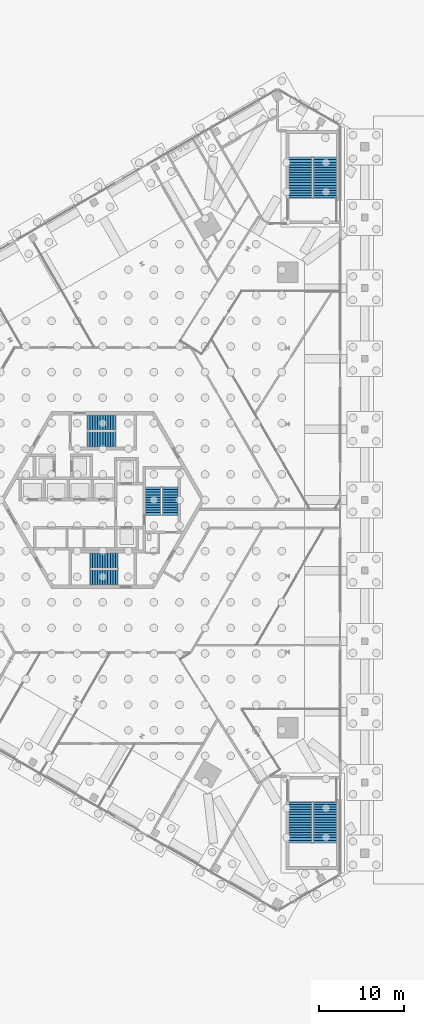
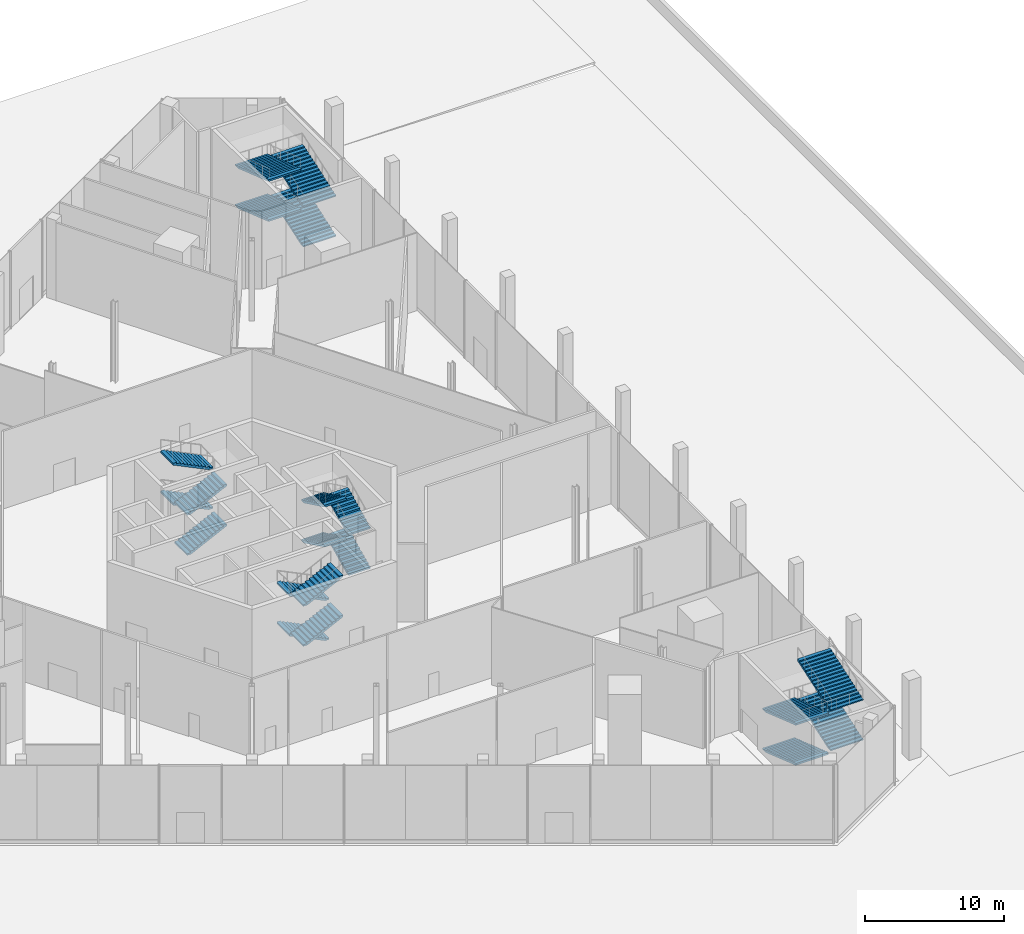
# One storey, part 23 of 27: 20 stair flights, 5 elements without a shape of their own.
"""IFC4 building model written with IfcOpenShell, lengths in metres."""

from ifc_helpers import new_model, si_unit, direction, frame, origin, place, context, subcontext, project, spatial, polyline, outline, extrude, source, transform, mapped, material, type_object, element, aggregate, save


model = new_model("IFC4")

# Units and contexts
model_context = context("Model", 3, precision=1e-05, world=origin(), true_north=direction((0.0, 1.0)))
body_context = subcontext(model_context, "Body", "Model", "MODEL_VIEW")
ifc_project = project(units=[si_unit("LENGTHUNIT", "METRE"), si_unit("AREAUNIT", "SQUARE_METRE"), si_unit("VOLUMEUNIT", "CUBIC_METRE"), si_unit("PLANEANGLEUNIT", "RADIAN"), si_unit("MASSUNIT", "GRAM", prefix="KILO")], contexts=[model_context])

# Site, building, storey
site_placement = place(None, origin())
site = spatial("IfcSite", under=ifc_project, at=site_placement, CompositionType="ELEMENT")
building_placement = place(site_placement, origin())
building = spatial("IfcBuilding", under=site, at=building_placement, Name="Triune Harvest Tower", CompositionType="ELEMENT")
storey_placement = place(building_placement, origin())
storey = spatial("IfcBuildingStorey", under=building, at=storey_placement, Name="L00", CompositionType="ELEMENT", Elevation=0.0)

# Stair, stair flights
ifc_material_1 = material(Name="Concrete 40 MPa", Category="concrete")
stair_type_1 = type_object("IfcStairType", Name="Exit stair 1800 double return", PredefinedType="DOUBLE_RETURN_STAIR", material=ifc_material_1)
stair_1_placement = place(storey_placement, origin())
stair_1 = element("IfcStair", 1, at=stair_1_placement, inside=storey, type_object=stair_type_1, Name="Exit stair north", PredefinedType="DOUBLE_RETURN_STAIR")
ifc_material_2 = material(Name="Concrete 40 MPa", Category="concrete")
stair_flight_type_1 = type_object("IfcStairFlightType", Name="Stair flight 1800", PredefinedType="STRAIGHT", material=ifc_material_2)
shared_shape_1 = source(origin(), body_context, "Body", "SweptSolid", [
    extrude(outline(polyline([(0.0, 0.0), (0.0, 0.145751953125), (0.300048828125, 0.145751953125), (0.300048828125, 0.291748046875), (0.60009765625, 0.291748046875), (0.60009765625, 0.4375), (0.89990234375, 0.4375), (0.89990234375, 0.583251953125), (1.199951171875, 0.583251953125), (1.199951171875, 0.729248046875), (1.5, 0.729248046875), (1.5, 0.875), (1.800048828125, 0.875), (1.800048828125, 1.020751953125), (2.10009765625, 1.020751953125), (2.10009765625, 1.166748046875), (2.39990234375, 1.166748046875), (2.39990234375, 1.3125), (2.699951171875, 1.3125), (2.699951171875, 1.458251953125), (3.0, 1.458251953125), (3.0, 1.604248046875), (3.300048828125, 1.604248046875), (3.300048828125, 1.75), (3.300048828125, 1.4375), (0.3427734375, 0.0), (0.0, 0.0)])), frame((0.0, 0.89990234375, 0.0), z_axis=(0.0, -1.0, 0.0), x_axis=(1.0, 0.0, 0.0)), (0.0, 0.0, 1.0), 1.800048828125),
])
stair_flight_1_placement = place(storey_placement, frame((-1.7900390625, 7.090087890625, 0.0), z_axis=(0.0, 0.0, 1.0), x_axis=(1.0, 0.0, 0.0)))
stair_flight_1 = element("IfcStairFlight", 2, at=stair_flight_1_placement, type_object=stair_flight_type_1, Name="ST-1 flight 1", NumberOfRisers=12, NumberOfTreads=11, PredefinedType="STRAIGHT", RiserHeight=0.14583, TreadLength=0.3, context=body_context, shape_type="MappedRepresentation", body=[
    mapped(shared_shape_1, transform((0.0, 0.0, 0.0), scale=1.0)),
])
stair_flight_2_placement = place(storey_placement, frame((1.510009765625, 9.090087890625, 1.75), z_axis=(0.0, 0.0, 1.0), x_axis=(-1.0, 0.0, 0.0)))
stair_flight_2 = element("IfcStairFlight", 3, at=stair_flight_2_placement, type_object=stair_flight_type_1, Name="ST-1 flight 2", NumberOfRisers=12, NumberOfTreads=11, PredefinedType="STRAIGHT", RiserHeight=0.14583, TreadLength=0.3, context=body_context, shape_type="MappedRepresentation", body=[
    mapped(shared_shape_1, transform((0.0, 0.0, 0.0), scale=1.0)),
])
stair_flight_3_placement = place(storey_placement, frame((-1.7900390625, 7.090087890625, 3.5), z_axis=(0.0, 0.0, 1.0), x_axis=(1.0, 0.0, 0.0)))
stair_flight_3 = element("IfcStairFlight", 4, at=stair_flight_3_placement, type_object=stair_flight_type_1, Name="ST-1 flight 3", NumberOfRisers=12, NumberOfTreads=11, PredefinedType="STRAIGHT", RiserHeight=0.14583, TreadLength=0.3, context=body_context, shape_type="MappedRepresentation", body=[
    mapped(shared_shape_1, transform((0.0, 0.0, 0.0), scale=1.0)),
])
stair_flight_4_placement = place(storey_placement, frame((1.510009765625, 9.090087890625, 5.25), z_axis=(0.0, 0.0, 1.0), x_axis=(-1.0, 0.0, 0.0)))
stair_flight_4 = element("IfcStairFlight", 5, at=stair_flight_4_placement, type_object=stair_flight_type_1, Name="ST-1 flight 4", NumberOfRisers=12, NumberOfTreads=11, PredefinedType="STRAIGHT", RiserHeight=0.14583, TreadLength=0.3, context=body_context, shape_type="MappedRepresentation", body=[
    mapped(shared_shape_1, transform((0.0, 0.0, 0.0), scale=1.0)),
])
aggregate(stair_1, [stair_flight_1, stair_flight_2, stair_flight_3, stair_flight_4])

stair_2_placement = place(storey_placement, origin())
stair_2 = element("IfcStair", 6, at=stair_2_placement, inside=storey, type_object=stair_type_1, Name="Exit stair south", PredefinedType="DOUBLE_RETURN_STAIR")
stair_flight_5_placement = place(storey_placement, frame((1.7900390625, -7.090087890625, 0.0), z_axis=(0.0, 0.0, 1.0), x_axis=(-1.0, 0.0, 0.0)))
stair_flight_5 = element("IfcStairFlight", 7, at=stair_flight_5_placement, type_object=stair_flight_type_1, Name="ST-2 flight 1", NumberOfRisers=12, NumberOfTreads=11, PredefinedType="STRAIGHT", RiserHeight=0.14583, TreadLength=0.3, context=body_context, shape_type="MappedRepresentation", body=[
    mapped(shared_shape_1, transform((0.0, 0.0, 0.0), scale=1.0)),
])
stair_flight_6_placement = place(storey_placement, frame((-1.510009765625, -9.090087890625, 1.75), z_axis=(0.0, 0.0, 1.0), x_axis=(1.0, 0.0, 0.0)))
stair_flight_6 = element("IfcStairFlight", 8, at=stair_flight_6_placement, type_object=stair_flight_type_1, Name="ST-2 flight 2", NumberOfRisers=12, NumberOfTreads=11, PredefinedType="STRAIGHT", RiserHeight=0.14583, TreadLength=0.3, context=body_context, shape_type="MappedRepresentation", body=[
    mapped(shared_shape_1, transform((0.0, 0.0, 0.0), scale=1.0)),
])
stair_flight_7_placement = place(storey_placement, frame((1.7900390625, -7.090087890625, 3.5), z_axis=(0.0, 0.0, 1.0), x_axis=(-1.0, 0.0, 0.0)))
stair_flight_7 = element("IfcStairFlight", 9, at=stair_flight_7_placement, type_object=stair_flight_type_1, Name="ST-2 flight 3", NumberOfRisers=12, NumberOfTreads=11, PredefinedType="STRAIGHT", RiserHeight=0.14583, TreadLength=0.3, context=body_context, shape_type="MappedRepresentation", body=[
    mapped(shared_shape_1, transform((0.0, 0.0, 0.0), scale=1.0)),
])
stair_flight_8_placement = place(storey_placement, frame((-1.510009765625, -9.090087890625, 5.25), z_axis=(0.0, 0.0, 1.0), x_axis=(1.0, 0.0, 0.0)))
stair_flight_8 = element("IfcStairFlight", 10, at=stair_flight_8_placement, type_object=stair_flight_type_1, Name="ST-2 flight 4", NumberOfRisers=12, NumberOfTreads=11, PredefinedType="STRAIGHT", RiserHeight=0.14583, TreadLength=0.3, context=body_context, shape_type="MappedRepresentation", body=[
    mapped(shared_shape_1, transform((0.0, 0.0, 0.0), scale=1.0)),
])
aggregate(stair_2, [stair_flight_5, stair_flight_6, stair_flight_7, stair_flight_8])

stair_3_placement = place(storey_placement, origin())
stair_3 = element("IfcStair", 11, at=stair_3_placement, inside=storey, type_object=stair_type_1, Name="Exit stair east", PredefinedType="DOUBLE_RETURN_STAIR")
stair_flight_9_placement = place(storey_placement, frame((7.89990234375, -1.7900390625, 0.0), z_axis=(0.0, 0.0, 1.0), x_axis=(0.0, 1.0, 0.0)))
stair_flight_9 = element("IfcStairFlight", 12, at=stair_flight_9_placement, type_object=stair_flight_type_1, Name="ST-3 flight 1", NumberOfRisers=12, NumberOfTreads=11, PredefinedType="STRAIGHT", RiserHeight=0.14583, TreadLength=0.3, context=body_context, shape_type="MappedRepresentation", body=[
    mapped(shared_shape_1, transform((0.0, 0.0, 0.0), scale=1.0)),
])
stair_flight_10_placement = place(storey_placement, frame((5.89990234375, 1.510009765625, 1.75), z_axis=(0.0, 0.0, 1.0), x_axis=(0.0, -1.0, 0.0)))
stair_flight_10 = element("IfcStairFlight", 13, at=stair_flight_10_placement, type_object=stair_flight_type_1, Name="ST-3 flight 2", NumberOfRisers=12, NumberOfTreads=11, PredefinedType="STRAIGHT", RiserHeight=0.14583, TreadLength=0.3, context=body_context, shape_type="MappedRepresentation", body=[
    mapped(shared_shape_1, transform((0.0, 0.0, 0.0), scale=1.0)),
])
stair_flight_11_placement = place(storey_placement, frame((7.89990234375, -1.7900390625, 3.5), z_axis=(0.0, 0.0, 1.0), x_axis=(0.0, 1.0, 0.0)))
stair_flight_11 = element("IfcStairFlight", 14, at=stair_flight_11_placement, type_object=stair_flight_type_1, Name="ST-3 flight 3", NumberOfRisers=12, NumberOfTreads=11, PredefinedType="STRAIGHT", RiserHeight=0.14583, TreadLength=0.3, context=body_context, shape_type="MappedRepresentation", body=[
    mapped(shared_shape_1, transform((0.0, 0.0, 0.0), scale=1.0)),
])
stair_flight_12_placement = place(storey_placement, frame((5.89990234375, 1.510009765625, 5.25), z_axis=(0.0, 0.0, 1.0), x_axis=(0.0, -1.0, 0.0)))
stair_flight_12 = element("IfcStairFlight", 15, at=stair_flight_12_placement, type_object=stair_flight_type_1, Name="ST-3 flight 4", NumberOfRisers=12, NumberOfTreads=11, PredefinedType="STRAIGHT", RiserHeight=0.14583, TreadLength=0.3, context=body_context, shape_type="MappedRepresentation", body=[
    mapped(shared_shape_1, transform((0.0, 0.0, 0.0), scale=1.0)),
])
aggregate(stair_3, [stair_flight_9, stair_flight_10, stair_flight_11, stair_flight_12])

ifc_material_3 = material(Name="Concrete 40 MPa", Category="concrete")
stair_type_2 = type_object("IfcStairType", Name="Podium exit stair 2700 double return", PredefinedType="DOUBLE_RETURN_STAIR", material=ifc_material_3)
stair_4_placement = place(storey_placement, origin())
stair_4 = element("IfcStair", 16, at=stair_4_placement, inside=storey, type_object=stair_type_2, Name="Podium exit stair north", PredefinedType="DOUBLE_RETURN_STAIR")
ifc_material_4 = material(Name="Concrete 40 MPa", Category="concrete")
stair_flight_type_2 = type_object("IfcStairFlightType", Name="Stair flight 2700", PredefinedType="STRAIGHT", material=ifc_material_4)
shared_shape_2 = source(origin(), body_context, "Body", "SweptSolid", [
    extrude(outline(polyline([(0.0, 0.0), (0.0, 0.10302734375), (0.300048828125, 0.10302734375), (0.300048828125, 0.205810546875), (0.60009765625, 0.205810546875), (0.60009765625, 0.308837890625), (0.89990234375, 0.308837890625), (0.89990234375, 0.411865234375), (1.199951171875, 0.411865234375), (1.199951171875, 0.5146484375), (1.5, 0.5146484375), (1.5, 0.61767578125), (1.800048828125, 0.61767578125), (1.800048828125, 0.720458984375), (2.10009765625, 0.720458984375), (2.10009765625, 0.823486328125), (2.39990234375, 0.823486328125), (2.39990234375, 0.926513671875), (2.699951171875, 0.926513671875), (2.699951171875, 1.029296875), (3.0, 1.029296875), (3.0, 1.13232421875), (3.300048828125, 1.13232421875), (3.300048828125, 1.2353515625), (3.60009765625, 1.2353515625), (3.60009765625, 1.338134765625), (3.89990234375, 1.338134765625), (3.89990234375, 1.441162109375), (4.199951171875, 1.441162109375), (4.199951171875, 1.544189453125), (4.5, 1.544189453125), (4.5, 1.64697265625), (4.800048828125, 1.64697265625), (4.800048828125, 1.75), (4.800048828125, 1.488525390625), (0.4619140625, 0.0), (0.0, 0.0)])), frame((0.0, 1.35009765625, 0.0), z_axis=(0.0, -1.0, 0.0), x_axis=(1.0, 0.0, 0.0)), (0.0, 0.0, 1.0), 2.699951171875),
])
stair_flight_13_placement = place(storey_placement, frame((26.070068359375, 35.39990234375, 0.0), z_axis=(0.0, 0.0, 1.0), x_axis=(0.0, 1.0, 0.0)))
stair_flight_13 = element("IfcStairFlight", 17, at=stair_flight_13_placement, type_object=stair_flight_type_2, Name="PS-1 flight 1", NumberOfRisers=17, NumberOfTreads=16, PredefinedType="STRAIGHT", RiserHeight=0.10294, TreadLength=0.3, context=body_context, shape_type="MappedRepresentation", body=[
    mapped(shared_shape_2, transform((0.0, 0.0, 0.0), scale=1.0)),
])
stair_flight_14_placement = place(storey_placement, frame((23.169921875, 40.199951171875, 1.75), z_axis=(0.0, 0.0, 1.0), x_axis=(0.0, -1.0, 0.0)))
stair_flight_14 = element("IfcStairFlight", 18, at=stair_flight_14_placement, type_object=stair_flight_type_2, Name="PS-1 flight 2", NumberOfRisers=17, NumberOfTreads=16, PredefinedType="STRAIGHT", RiserHeight=0.10294, TreadLength=0.3, context=body_context, shape_type="MappedRepresentation", body=[
    mapped(shared_shape_2, transform((0.0, 0.0, 0.0), scale=1.0)),
])
stair_flight_15_placement = place(storey_placement, frame((26.070068359375, 35.39990234375, 3.5), z_axis=(0.0, 0.0, 1.0), x_axis=(0.0, 1.0, 0.0)))
stair_flight_15 = element("IfcStairFlight", 19, at=stair_flight_15_placement, type_object=stair_flight_type_2, Name="PS-1 flight 3", NumberOfRisers=17, NumberOfTreads=16, PredefinedType="STRAIGHT", RiserHeight=0.10294, TreadLength=0.3, context=body_context, shape_type="MappedRepresentation", body=[
    mapped(shared_shape_2, transform((0.0, 0.0, 0.0), scale=1.0)),
])
stair_flight_16_placement = place(storey_placement, frame((23.169921875, 40.199951171875, 5.25), z_axis=(0.0, 0.0, 1.0), x_axis=(0.0, -1.0, 0.0)))
stair_flight_16 = element("IfcStairFlight", 20, at=stair_flight_16_placement, type_object=stair_flight_type_2, Name="PS-1 flight 4", NumberOfRisers=17, NumberOfTreads=16, PredefinedType="STRAIGHT", RiserHeight=0.10294, TreadLength=0.3, context=body_context, shape_type="MappedRepresentation", body=[
    mapped(shared_shape_2, transform((0.0, 0.0, 0.0), scale=1.0)),
])
aggregate(stair_4, [stair_flight_13, stair_flight_14, stair_flight_15, stair_flight_16])

stair_5_placement = place(storey_placement, origin())
stair_5 = element("IfcStair", 21, at=stair_5_placement, inside=storey, type_object=stair_type_2, Name="Podium exit stair south", PredefinedType="DOUBLE_RETURN_STAIR")
stair_flight_17_placement = place(storey_placement, frame((23.169921875, -35.39990234375, 0.0), z_axis=(0.0, 0.0, 1.0), x_axis=(0.0, -1.0, 0.0)))
stair_flight_17 = element("IfcStairFlight", 22, at=stair_flight_17_placement, type_object=stair_flight_type_2, Name="PS-2 flight 1", NumberOfRisers=17, NumberOfTreads=16, PredefinedType="STRAIGHT", RiserHeight=0.10294, TreadLength=0.3, context=body_context, shape_type="MappedRepresentation", body=[
    mapped(shared_shape_2, transform((0.0, 0.0, 0.0), scale=1.0)),
])
stair_flight_18_placement = place(storey_placement, frame((26.070068359375, -40.199951171875, 1.75), z_axis=(0.0, 0.0, 1.0), x_axis=(0.0, 1.0, 0.0)))
stair_flight_18 = element("IfcStairFlight", 23, at=stair_flight_18_placement, type_object=stair_flight_type_2, Name="PS-2 flight 2", NumberOfRisers=17, NumberOfTreads=16, PredefinedType="STRAIGHT", RiserHeight=0.10294, TreadLength=0.3, context=body_context, shape_type="MappedRepresentation", body=[
    mapped(shared_shape_2, transform((0.0, 0.0, 0.0), scale=1.0)),
])
stair_flight_19_placement = place(storey_placement, frame((23.169921875, -35.39990234375, 3.5), z_axis=(0.0, 0.0, 1.0), x_axis=(0.0, -1.0, 0.0)))
stair_flight_19 = element("IfcStairFlight", 24, at=stair_flight_19_placement, type_object=stair_flight_type_2, Name="PS-2 flight 3", NumberOfRisers=17, NumberOfTreads=16, PredefinedType="STRAIGHT", RiserHeight=0.10294, TreadLength=0.3, context=body_context, shape_type="MappedRepresentation", body=[
    mapped(shared_shape_2, transform((0.0, 0.0, 0.0), scale=1.0)),
])
stair_flight_20_placement = place(storey_placement, frame((26.070068359375, -40.199951171875, 5.25), z_axis=(0.0, 0.0, 1.0), x_axis=(0.0, 1.0, 0.0)))
stair_flight_20 = element("IfcStairFlight", 25, at=stair_flight_20_placement, type_object=stair_flight_type_2, Name="PS-2 flight 4", NumberOfRisers=17, NumberOfTreads=16, PredefinedType="STRAIGHT", RiserHeight=0.10294, TreadLength=0.3, context=body_context, shape_type="MappedRepresentation", body=[
    mapped(shared_shape_2, transform((0.0, 0.0, 0.0), scale=1.0)),
])
aggregate(stair_5, [stair_flight_17, stair_flight_18, stair_flight_19, stair_flight_20])

save(model, "model.ifc")
